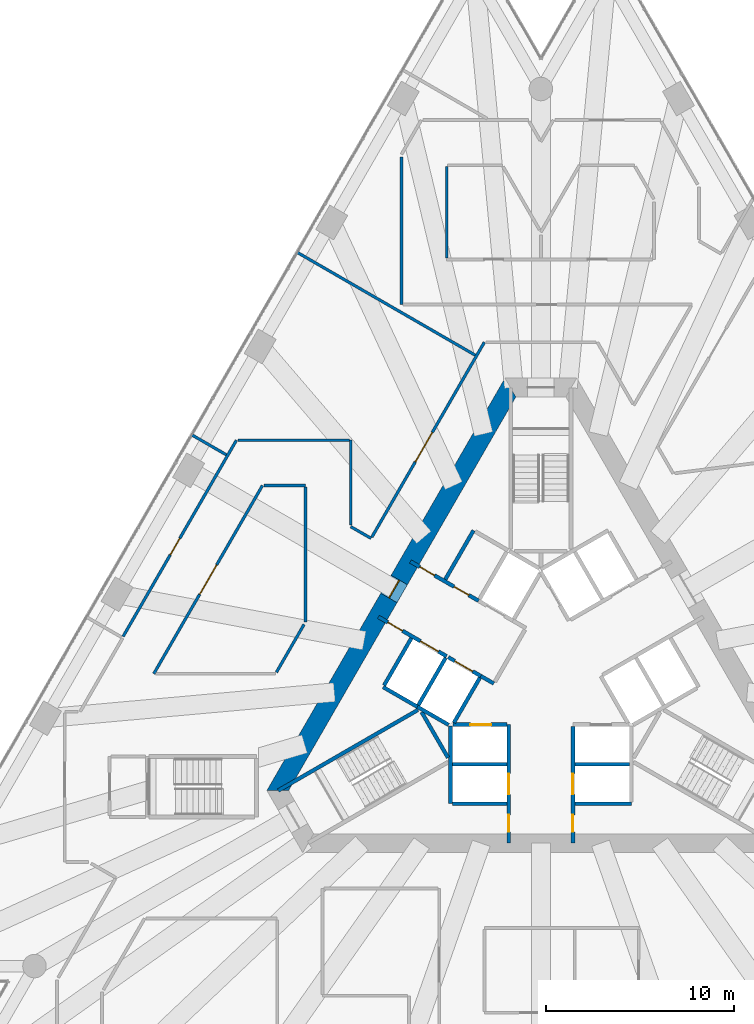
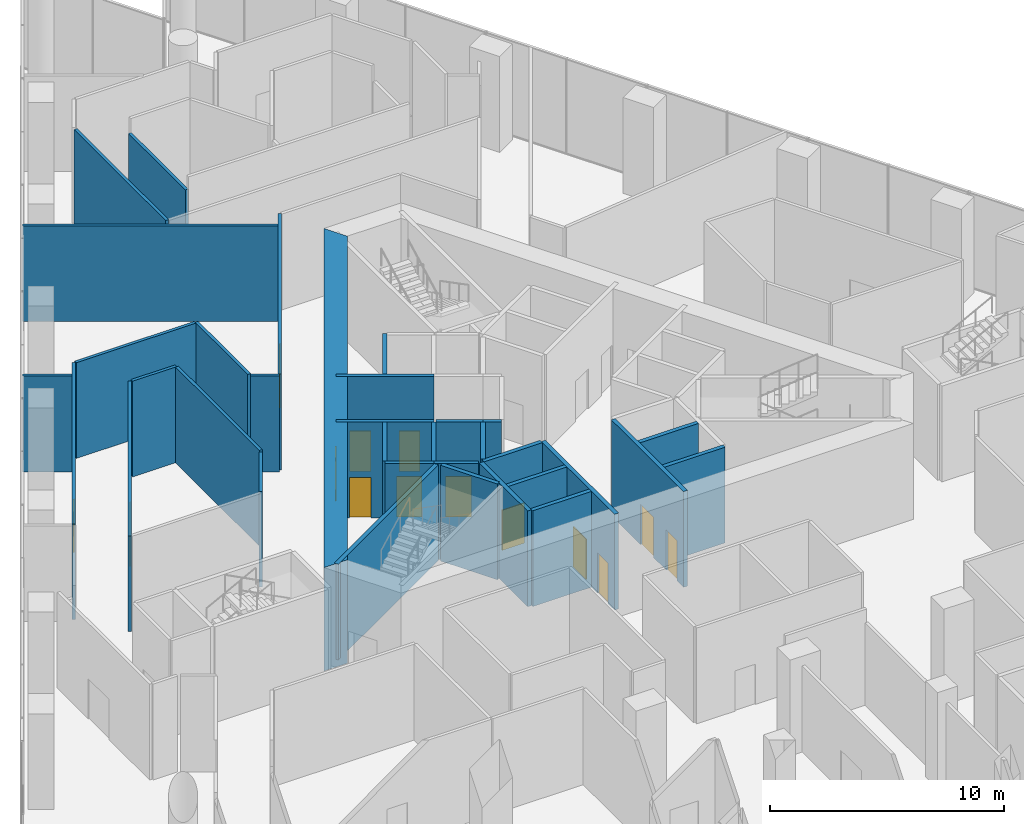
# One storey, part 23 of 29: 34 walls, 14 doors, 14 openings.
"""IFC4 building model written with IfcOpenShell, lengths in metres."""

import ifcopenshell
import ifcopenshell.guid

model = None  # the IFC model being written
_history = None  # IfcOwnerHistory: only IFC2X3 demands one
_inside = {}  # id of a spatial element -> (the spatial element, [elements in it])
_under = {}  # id of a project, library or spatial element -> (it, [spatial elements below it])
_declared = {}  # id of a project -> (the project, [libraries it declares])
_typed = {}  # id of a type object -> (the type object, [elements of that type])
_made_of = {}  # id of a material, layer set ... -> (it, [elements and type objects made of it])


def new_model(schema):
    """Start an empty IFC model of exactly this schema.

    Asked for "IFC4X3", IfcOpenShell would pick the latest addendum, in which some entities
    have other attributes; the version numbers below select the first issue.
    IFC2X3 requires an IfcOwnerHistory on every rooted entity: one is made here for all.
    """
    global model, _history
    if schema == "IFC4X3":
        model = ifcopenshell.file(schema_version=(4, 3, 0, 0))
    else:
        model = ifcopenshell.file(schema=schema)
    _inside.clear()
    _under.clear()
    _declared.clear()
    _typed.clear()
    _made_of.clear()
    _history = None
    if model.schema == "IFC2X3":
        org = make("IfcOrganization", Name="unknown")
        user = make(
            "IfcPersonAndOrganization",
            ThePerson=make("IfcPerson", FamilyName="unknown"),
            TheOrganization=org,
        )
        app = make(
            "IfcApplication",
            ApplicationDeveloper=org,
            Version="unknown",
            ApplicationFullName="unknown",
            ApplicationIdentifier="unknown",
        )
        _history = make(
            "IfcOwnerHistory",
            OwningUser=user,
            OwningApplication=app,
            ChangeAction="ADDED",
            CreationDate=0,
        )
    return model


def make(cls, **values):
    """One entity of the class cls with the attributes given. An attribute that is None is left unset."""
    return model.create_entity(
        cls, **{name: value for name, value in values.items() if value is not None}
    )


def rooted(cls, **values):
    """An entity with a GlobalId (a new one), such as an element, a storey or a relation."""
    return make(cls, GlobalId=ifcopenshell.guid.new(), OwnerHistory=_history, **values)


def si_unit(unit_type, name, prefix=None):
    """IfcSIUnit, for example si_unit("LENGTHUNIT", "METRE", prefix="MILLI")."""
    return make("IfcSIUnit", UnitType=unit_type, Prefix=prefix, Name=name)


def assignment(units):
    """IfcUnitAssignment: the units of a project."""
    return None if units is None else make("IfcUnitAssignment", Units=units)


def point(xyz):
    """IfcCartesianPoint."""
    return None if xyz is None else make("IfcCartesianPoint", Coordinates=xyz)


def direction(xyz):
    """IfcDirection."""
    return None if xyz is None else make("IfcDirection", DirectionRatios=xyz)


def frame(location, z_axis=None, x_axis=None):
    """IfcAxis2Placement3D, a coordinate frame: its origin and axes. An axis left out is left unset."""
    return make(
        "IfcAxis2Placement3D",
        Location=point(location),
        Axis=direction(z_axis),
        RefDirection=direction(x_axis),
    )


def frame_2d(location, x_axis=None):
    """IfcAxis2Placement2D, a coordinate frame in the plane: its origin and x axis."""
    return make(
        "IfcAxis2Placement2D", Location=point(location), RefDirection=direction(x_axis)
    )


def origin():
    """The frame at (0, 0, 0) with its axes left unset."""
    return frame((0.0, 0.0, 0.0))


def place(relative_to, where):
    """IfcLocalPlacement: puts the frame where relative to a parent placement (None: the world)."""
    return make(
        "IfcLocalPlacement", PlacementRelTo=relative_to, RelativePlacement=where
    )


def context(
    kind, dimensions, precision=None, world=None, true_north=None, identifier=None
):
    """IfcGeometricRepresentationContext, for example the 3D "Model" context."""
    return make(
        "IfcGeometricRepresentationContext",
        ContextIdentifier=identifier,
        ContextType=kind,
        CoordinateSpaceDimension=dimensions,
        Precision=precision,
        WorldCoordinateSystem=world,
        TrueNorth=true_north,
    )


def subcontext(parent, identifier, kind, view, scale=None):
    """IfcGeometricRepresentationSubContext, for example "Body" below "Model"."""
    return make(
        "IfcGeometricRepresentationSubContext",
        ContextIdentifier=identifier,
        ContextType=kind,
        ParentContext=parent,
        TargetScale=scale,
        TargetView=view,
    )


def project(units=None, contexts=None):
    """IfcProject with its units and contexts."""
    return rooted(
        "IfcProject",
        Name="project",
        RepresentationContexts=contexts,
        UnitsInContext=assignment(units),
    )


def spatial(cls, under=None, at=None, **own):
    """A site, building, storey or space (cls), placed at a placement, below another one or the project."""
    s = rooted(cls, ObjectPlacement=at, **own)
    if under is not None:
        _under.setdefault(under.id(), (under, []))[1].append(s)
    return s


def polyline(points):
    """IfcPolyline through the points."""
    return make("IfcPolyline", Points=[point(p) for p in points])


def profile(cls, at=None, kind="AREA", **sizes):
    """A parametric profile (cls). Its sizes go by their IFC names, for example OverallWidth=200.0."""
    return make(cls, ProfileType=kind, Position=at, **sizes)


def rectangle(**sizes):
    """IfcRectangleProfileDef."""
    return profile("IfcRectangleProfileDef", **sizes)


def outline(outer, holes=None, kind="AREA"):
    """IfcArbitraryClosedProfileDef: a profile drawn as a closed curve; with holes, ...WithVoids."""
    if holes is None:
        return make("IfcArbitraryClosedProfileDef", ProfileType=kind, OuterCurve=outer)
    return make(
        "IfcArbitraryProfileDefWithVoids",
        ProfileType=kind,
        OuterCurve=outer,
        InnerCurves=holes,
    )


def extrude(swept, where, along, depth):
    """IfcExtrudedAreaSolid: the profile swept, set in the frame where, extruded along a direction by depth."""
    return make(
        "IfcExtrudedAreaSolid",
        SweptArea=swept,
        Position=where,
        ExtrudedDirection=direction(along),
        Depth=depth,
    )


def shape(context_of_items, identifier, shape_type, items):
    """IfcShapeRepresentation: the items that make up one representation, for example the "Body"."""
    return make(
        "IfcShapeRepresentation",
        ContextOfItems=context_of_items,
        RepresentationIdentifier=identifier,
        RepresentationType=shape_type,
        Items=items,
    )


def material(Name=None, Category=None):
    """IfcMaterial."""
    return make("IfcMaterial", Name=Name, Category=Category)


def layer(
    of_material, thickness, ventilated=None, Name=None, Category=None, Priority=None
):
    """IfcMaterialLayer: one layer of a wall or slab, of a material (None: an air gap)."""
    return make(
        "IfcMaterialLayer",
        Material=of_material,
        LayerThickness=thickness,
        IsVentilated=ventilated,
        Name=Name,
        Category=Category,
        Priority=Priority,
    )


def layer_set(layers, Name=None):
    """IfcMaterialLayerSet."""
    return make("IfcMaterialLayerSet", MaterialLayers=layers, LayerSetName=Name)


def made_of(thing, what):
    """Note that an element or type object is made of a material, layer set ...; save() writes the relation."""
    if what is not None:
        _made_of.setdefault(what.id(), (what, []))[1].append(thing)
    return thing


def type_object(cls, material=None, **own):
    """A type object (cls), such as IfcWallType, which elements share."""
    return made_of(rooted(cls, **own), material)


def element(
    cls,
    number,
    at=None,
    inside=None,
    cuts=None,
    type_object=None,
    material=None,
    context=None,
    identifier="Body",
    shape_type=None,
    held_by="IfcProductDefinitionShape",
    body=None,
    shapes=None,
    **own,
):
    """One element of the class cls, such as IfcWall. Its Tag is "e" and its number.

    at: its placement. inside: the storey or other place that contains it. cuts: it is an
    opening in that element (IfcRelVoidsElement). A single representation is given by context,
    identifier, shape_type and body (its items); several are given by shapes. held_by: the class
    of the entity that holds the representations. save() writes the other relations.
    """
    e = rooted(cls, Tag="e%d" % number, ObjectPlacement=at, **own)
    if body is not None:
        shapes = [shape(context, identifier, shape_type, body)]
    if shapes is not None:
        e.Representation = make(held_by, Representations=shapes)
    if inside is not None:
        _inside.setdefault(inside.id(), (inside, []))[1].append(e)
    if cuts is not None:
        rooted(
            "IfcRelVoidsElement", RelatingBuildingElement=cuts, RelatedOpeningElement=e
        )
    if type_object is not None:
        _typed.setdefault(type_object.id(), (type_object, []))[1].append(e)
    return made_of(e, material)


def fill(opening, filler):
    """IfcRelFillsElement: the door or window that sits in an opening."""
    return rooted(
        "IfcRelFillsElement",
        RelatingOpeningElement=opening,
        RelatedBuildingElement=filler,
    )


def aggregate(whole, parts):
    """IfcRelAggregates: a whole, such as a stair, and the parts it consists of."""
    return rooted("IfcRelAggregates", RelatingObject=whole, RelatedObjects=parts)


def save(model, path):
    """Write the relations noted so far, then the file.

    IfcRelAggregates (storeys below a building ...), IfcRelContainedInSpatialStructure (elements
    in a storey), IfcRelDefinesByType, IfcRelAssociatesMaterial and IfcRelDeclares: one each for
    every whole, place, type object, material and project.
    """
    for whole, parts in _under.values():
        aggregate(whole, parts)
    for where, things in _inside.values():
        rooted(
            "IfcRelContainedInSpatialStructure",
            RelatedElements=things,
            RelatingStructure=where,
        )
    for kind, things in _typed.values():
        rooted("IfcRelDefinesByType", RelatedObjects=things, RelatingType=kind)
    for what, things in _made_of.values():
        rooted("IfcRelAssociatesMaterial", RelatedObjects=things, RelatingMaterial=what)
    for by, libraries in _declared.values():
        rooted("IfcRelDeclares", RelatingContext=by, RelatedDefinitions=libraries)
    model.write(path)


model = new_model("IFC4")

# Units and contexts
model_context = context("Model", 3, precision=1e-05, world=origin(), true_north=direction((0.0, 1.0)))
body_context = subcontext(model_context, "Body", "Model", "MODEL_VIEW")
ifc_project = project(units=[si_unit("LENGTHUNIT", "METRE"), si_unit("AREAUNIT", "SQUARE_METRE"), si_unit("VOLUMEUNIT", "CUBIC_METRE"), si_unit("PLANEANGLEUNIT", "RADIAN"), si_unit("MASSUNIT", "GRAM", prefix="KILO")], contexts=[model_context])

# Site, building, storey
site_placement = place(None, origin())
site = spatial("IfcSite", under=ifc_project, at=site_placement, CompositionType="ELEMENT")
building_placement = place(site_placement, origin())
building = spatial("IfcBuilding", under=site, at=building_placement, Name="Triada Interchange Tower", CompositionType="ELEMENT")
storey_placement = place(building_placement, frame((0.0, 0.0, 19.89990234375)))
storey = spatial("IfcBuildingStorey", under=building, at=storey_placement, Name="L03", CompositionType="ELEMENT", Elevation=19.89990234375)

# Walls
ifc_material_1 = material(Name="Concrete C30/37", Category="concrete")
ifc_layer_1 = layer(ifc_material_1, 0.199951171875)
ifc_layer_set_1 = layer_set([ifc_layer_1], Name="CORE WALL 200 EI 120")
wall_type_1 = type_object("IfcWallType", Name="CORE WALL 200 EI 120", PredefinedType="SOLIDWALL", material=ifc_layer_set_1)
wall_1_placement = place(storey_placement, frame((-8.3759765625, -0.70703125, 0.0), z_axis=(0.0, 0.0, 1.0), x_axis=(0.866067520717, -0.499927044236, 0.0)))
element("IfcWall", 1, at=wall_1_placement, inside=storey, type_object=wall_type_1, Name="Wall L03 114", PredefinedType="SOLIDWALL", context=body_context, shape_type="SweptSolid", body=[
    extrude(rectangle(XDim=2.100341796875, YDim=0.199951171875, at=frame_2d((1.05029296875, 0.0))), origin(), (0.0, 0.0, 1.0), 5.0),
])
wall_2_placement = place(storey_placement, frame((-8.325927734375, -0.6201171875, 0.0), z_axis=(0.0, 0.0, 1.0), x_axis=(0.500023687443, 0.866011727401, 0.0)))
element("IfcWall", 2, at=wall_2_placement, inside=storey, type_object=wall_type_1, Name="Wall L03 115", PredefinedType="SOLIDWALL", context=body_context, shape_type="SweptSolid", body=[
    extrude(rectangle(XDim=2.899658203125, YDim=0.199951171875, at=frame_2d((1.44970703125, 0.0))), origin(), (0.0, 0.0, 1.0), 5.0),
])
for number, where, z_axis, x_axis, name in (
    (3, (-4.699951171875, -4.800048828125, 0.0), (0.0, 0.0, 1.0), (1.0, 0.0, 0.0), "Wall L03 116"),
    (4, (1.800048828125, -4.800048828125, 0.0), (0.0, 0.0, 1.0), (1.0, 0.0, 0.0), "Wall L03 117"),
):
    element("IfcWall", number, at=place(storey_placement, frame(where, z_axis=z_axis, x_axis=x_axis)), inside=storey, type_object=wall_type_1, Name=name, PredefinedType="SOLIDWALL", context=body_context, shape_type="SweptSolid", body=[
        extrude(rectangle(XDim=2.89990234375, YDim=0.199951171875, at=frame_2d((1.449951171875, 0.0))), origin(), (0.0, 0.0, 1.0), 5.0),
    ])
wall_3_placement = place(storey_placement, frame((-4.800048828125, -6.89990234375, 0.0), z_axis=(0.0, 0.0, 1.0), x_axis=(0.0, 1.0, 0.0)))
element("IfcWall", 5, at=wall_3_placement, inside=storey, type_object=wall_type_1, Name="Wall L03 118", PredefinedType="SOLIDWALL", context=body_context, shape_type="SweptSolid", body=[
    extrude(rectangle(XDim=4.130859375, YDim=0.199951171875, at=frame_2d((2.0654296875, 0.0))), origin(), (0.0, 0.0, 1.0), 5.0),
])
wall_4_placement = place(storey_placement, frame((-4.699951171875, -6.89990234375, 0.0), z_axis=(0.0, 0.0, 1.0), x_axis=(1.0, 0.0, 0.0)))
element("IfcWall", 6, at=wall_4_placement, inside=storey, type_object=wall_type_1, Name="Wall L03 119", PredefinedType="SOLIDWALL", context=body_context, shape_type="SweptSolid", body=[
    extrude(rectangle(XDim=2.89990234375, YDim=0.199951171875, at=frame_2d((1.449951171875, 0.0))), origin(), (0.0, 0.0, 1.0), 5.0),
])
wall_5_placement = place(storey_placement, frame((1.800048828125, -6.89990234375, 0.0), z_axis=(0.0, 0.0, 1.0), x_axis=(1.0, 0.0, 0.0)))
element("IfcWall", 7, at=wall_5_placement, inside=storey, type_object=wall_type_1, Name="Wall L03 120", PredefinedType="SOLIDWALL", context=body_context, shape_type="SweptSolid", body=[
    extrude(rectangle(XDim=3.0, YDim=0.199951171875, at=frame_2d((1.5, 0.0))), origin(), (0.0, 0.0, 1.0), 5.0),
])

# Wall, openings, doors
wall_6_placement = place(storey_placement, frame((-1.699951171875, -8.97998046875, 0.0), z_axis=(0.0, 0.0, 1.0), x_axis=(0.0, 1.0, 0.0)))
wall_6 = element("IfcWall", 8, at=wall_6_placement, inside=storey, type_object=wall_type_1, Name="Wall L03 121", PredefinedType="SOLIDWALL", context=body_context, shape_type="SweptSolid", body=[
    extrude(rectangle(XDim=6.277099609375, YDim=0.199951171875, at=frame_2d((3.138671875, 0.0))), origin(), (0.0, 0.0, 1.0), 5.0),
])
opening_1_placement = place(wall_6_placement, frame((2.580078125, 0.0, 0.0)))
opening_1 = element("IfcOpeningElement", 9, at=opening_1_placement, cuts=wall_6, Name="Opening LD-LR4", PredefinedType="OPENING", context=body_context, shape_type="SweptSolid", body=[
    extrude(rectangle(XDim=1.10009765625, YDim=2.10009765625, at=frame_2d((0.550048828125, 1.050048828125))), frame((0.0, 0.10986328125, 0.0), z_axis=(0.0, -1.0, 0.0), x_axis=(1.0, 0.0, 0.0)), (0.0, 0.0, 1.0), 0.219970703125),
])
opening_2_placement = place(wall_6_placement, frame((0.580078125, 0.0, 0.0)))
opening_2 = element("IfcOpeningElement", 10, at=opening_2_placement, cuts=wall_6, Name="Opening D03-46", PredefinedType="OPENING", context=body_context, shape_type="SweptSolid", body=[
    extrude(rectangle(XDim=0.89990234375, YDim=2.10009765625, at=frame_2d((0.449951171875, 1.050048828125))), frame((0.0, 0.10986328125, 0.0), z_axis=(0.0, -1.0, 0.0), x_axis=(1.0, 0.0, 0.0)), (0.0, 0.0, 1.0), 0.219970703125),
])
ifc_material_2 = material(Name="Steel S235 door leaf", Category="steel")
door_type_1 = type_object("IfcDoorType", Name="LIFT LANDING DOOR 1100 EI 120", OperationType="SLIDING_TO_LEFT", PredefinedType="DOOR", material=ifc_material_2)
door_1_placement = place(opening_1_placement, origin())
door_1 = element("IfcDoor", 11, at=door_1_placement, inside=storey, type_object=door_type_1, Name="LR4 landing door L03", OperationType="SLIDING_TO_LEFT", OverallHeight=2.10009765625, OverallWidth=1.10009765625, PredefinedType="DOOR", context=body_context, shape_type="SweptSolid", body=[
    extrude(rectangle(XDim=1.10009765625, YDim=2.10009765625, at=frame_2d((0.550048828125, 1.050048828125))), frame((0.0, 0.02490234375, 0.0), z_axis=(0.0, -1.0, 0.0), x_axis=(1.0, 0.0, 0.0)), (0.0, 0.0, 1.0), 0.050048828125),
])
fill(opening_1, door_1)
door_type_2 = type_object("IfcDoorType", Name="RISER ACCESS DOOR 900 EI2 45-C5S200", OperationType="NOTDEFINED", PredefinedType="DOOR", material=ifc_material_2)
door_2_placement = place(opening_2_placement, origin())
door_2 = element("IfcDoor", 12, at=door_2_placement, inside=storey, type_object=door_type_2, Name="Door D03-46 L03", OperationType="SINGLE_SWING_RIGHT", OverallHeight=2.10009765625, OverallWidth=0.89990234375, PredefinedType="DOOR", context=body_context, shape_type="SweptSolid", body=[
    extrude(rectangle(XDim=0.89990234375, YDim=2.10009765625, at=frame_2d((0.449951171875, 1.050048828125))), frame((0.0, 0.02490234375, 0.0), z_axis=(0.0, -1.0, 0.0), x_axis=(1.0, 0.0, 0.0)), (0.0, 0.0, 1.0), 0.050048828125),
])
fill(opening_2, door_2)

# Wall, opening, door
wall_7_placement = place(storey_placement, frame((-4.676025390625, -2.699951171875, 0.0), z_axis=(0.0, 0.0, 1.0), x_axis=(1.0, 0.0, 0.0)))
wall_7 = element("IfcWall", 13, at=wall_7_placement, inside=storey, type_object=wall_type_1, Name="Wall L03 122", PredefinedType="SOLIDWALL", context=body_context, shape_type="SweptSolid", body=[
    extrude(rectangle(XDim=2.873046875, YDim=0.199951171875, at=frame_2d((1.4365234375, 0.0))), origin(), (0.0, 0.0, 1.0), 5.0),
])
opening_3_placement = place(wall_7_placement, frame((0.93701171875, 0.0, 0.0)))
opening_3 = element("IfcOpeningElement", 14, at=opening_3_placement, cuts=wall_7, Name="Opening LD-LR3", PredefinedType="OPENING", context=body_context, shape_type="SweptSolid", body=[
    extrude(rectangle(XDim=1.10009765625, YDim=2.10009765625, at=frame_2d((0.550048828125, 1.050048828125))), frame((0.0, 0.10986328125, 0.0), z_axis=(0.0, -1.0, 0.0), x_axis=(1.0, 0.0, 0.0)), (0.0, 0.0, 1.0), 0.219970703125),
])
door_3_placement = place(opening_3_placement, origin())
door_3 = element("IfcDoor", 15, at=door_3_placement, inside=storey, type_object=door_type_1, Name="LR3 landing door L03", OperationType="SLIDING_TO_LEFT", OverallHeight=2.10009765625, OverallWidth=1.10009765625, PredefinedType="DOOR", context=body_context, shape_type="SweptSolid", body=[
    extrude(rectangle(XDim=1.10009765625, YDim=2.10009765625, at=frame_2d((0.550048828125, 1.050048828125))), frame((0.0, 0.02490234375, 0.0), z_axis=(0.0, -1.0, 0.0), x_axis=(1.0, 0.0, 0.0)), (0.0, 0.0, 1.0), 0.050048828125),
])
fill(opening_3, door_3)

# Wall, openings, doors
wall_8_placement = place(storey_placement, frame((1.699951171875, -8.97998046875, 0.0), z_axis=(0.0, 0.0, 1.0), x_axis=(0.0, 1.0, 0.0)))
wall_8 = element("IfcWall", 16, at=wall_8_placement, inside=storey, type_object=wall_type_1, Name="Wall L03 128", PredefinedType="SOLIDWALL", context=body_context, shape_type="SweptSolid", body=[
    extrude(rectangle(XDim=6.177001953125, YDim=0.199951171875, at=frame_2d((3.08837890625, 0.0))), origin(), (0.0, 0.0, 1.0), 5.0),
])
opening_4_placement = place(wall_8_placement, frame((2.580078125, 0.0, 0.0)))
opening_4 = element("IfcOpeningElement", 17, at=opening_4_placement, cuts=wall_8, Name="Opening LD-LR2", PredefinedType="OPENING", context=body_context, shape_type="SweptSolid", body=[
    extrude(rectangle(XDim=1.10009765625, YDim=2.10009765625, at=frame_2d((0.550048828125, 1.050048828125))), frame((0.0, 0.10986328125, 0.0), z_axis=(0.0, -1.0, 0.0), x_axis=(1.0, 0.0, 0.0)), (0.0, 0.0, 1.0), 0.219970703125),
])
opening_5_placement = place(wall_8_placement, frame((0.580078125, 0.0, 0.0)))
opening_5 = element("IfcOpeningElement", 18, at=opening_5_placement, cuts=wall_8, Name="Opening D03-49", PredefinedType="OPENING", context=body_context, shape_type="SweptSolid", body=[
    extrude(rectangle(XDim=0.89990234375, YDim=2.10009765625, at=frame_2d((0.449951171875, 1.050048828125))), frame((0.0, 0.10986328125, 0.0), z_axis=(0.0, -1.0, 0.0), x_axis=(1.0, 0.0, 0.0)), (0.0, 0.0, 1.0), 0.219970703125),
])
door_4_placement = place(opening_4_placement, origin())
door_4 = element("IfcDoor", 19, at=door_4_placement, inside=storey, type_object=door_type_1, Name="LR2 landing door L03", OperationType="SLIDING_TO_LEFT", OverallHeight=2.10009765625, OverallWidth=1.10009765625, PredefinedType="DOOR", context=body_context, shape_type="SweptSolid", body=[
    extrude(rectangle(XDim=1.10009765625, YDim=2.10009765625, at=frame_2d((0.550048828125, 1.050048828125))), frame((0.0, 0.02490234375, 0.0), z_axis=(0.0, -1.0, 0.0), x_axis=(1.0, 0.0, 0.0)), (0.0, 0.0, 1.0), 0.050048828125),
])
fill(opening_4, door_4)
door_type_3 = type_object("IfcDoorType", Name="SERVICE DOOR 900 EI2 45-C5S200", OperationType="NOTDEFINED", PredefinedType="DOOR", material=ifc_material_2)
door_5_placement = place(opening_5_placement, origin())
door_5 = element("IfcDoor", 20, at=door_5_placement, inside=storey, type_object=door_type_3, Name="Door D03-49 L03", OperationType="SINGLE_SWING_LEFT", OverallHeight=2.10009765625, OverallWidth=0.89990234375, PredefinedType="DOOR", context=body_context, shape_type="SweptSolid", body=[
    extrude(rectangle(XDim=0.89990234375, YDim=2.10009765625, at=frame_2d((0.449951171875, 1.050048828125))), frame((0.0, 0.02490234375, 0.0), z_axis=(0.0, -1.0, 0.0), x_axis=(1.0, 0.0, 0.0)), (0.0, 0.0, 1.0), 0.050048828125),
])
fill(opening_5, door_5)

ifc_layer_2 = layer(ifc_material_1, 0.199951171875)
ifc_layer_set_2 = layer_set([ifc_layer_2], Name="CORE WALL 200 EI 180")
wall_type_2 = type_object("IfcWallType", Name="CORE WALL 200 EI 180", PredefinedType="SOLIDWALL", material=ifc_layer_set_2)
wall_9_placement = place(storey_placement, frame((-8.626953125, 3.01806640625, 0.0), z_axis=(0.0, 0.0, 1.0), x_axis=(0.866039775641, -0.499975106388, 0.0)))
wall_9 = element("IfcWall", 21, at=wall_9_placement, inside=storey, type_object=wall_type_2, Name="Wall L03 136", PredefinedType="SOLIDWALL", context=body_context, shape_type="SweptSolid", body=[
    extrude(rectangle(XDim=4.182373046875, YDim=0.199951171875, at=frame_2d((2.09130859375, 0.0))), origin(), (0.0, 0.0, 1.0), 5.0),
])
opening_6_placement = place(wall_9_placement, frame((2.580078125, 0.0, 0.0)))
opening_6 = element("IfcOpeningElement", 22, at=opening_6_placement, cuts=wall_9, Name="Opening LD-SV1", PredefinedType="OPENING", context=body_context, shape_type="SweptSolid", body=[
    extrude(rectangle(XDim=1.10009765625, YDim=2.10009765625, at=frame_2d((0.550048828125, 1.050048828125))), frame((0.0, 0.10986328125, 0.0), z_axis=(0.0, -1.0, 0.0), x_axis=(1.0, 0.0, 0.0)), (0.0, 0.0, 1.0), 0.219970703125),
])
opening_7_placement = place(wall_9_placement, frame((0.580078125, 0.0, 0.0)))
opening_7 = element("IfcOpeningElement", 23, at=opening_7_placement, cuts=wall_9, Name="Opening D03-45", PredefinedType="OPENING", context=body_context, shape_type="SweptSolid", body=[
    extrude(rectangle(XDim=0.89990234375, YDim=2.10009765625, at=frame_2d((0.449951171875, 1.050048828125))), frame((0.0, 0.10986328125, 0.0), z_axis=(0.0, -1.0, 0.0), x_axis=(1.0, 0.0, 0.0)), (0.0, 0.0, 1.0), 0.219970703125),
])
door_6_placement = place(opening_6_placement, origin())
door_6 = element("IfcDoor", 24, at=door_6_placement, inside=storey, type_object=door_type_1, Name="SV1 landing door L03", OperationType="SLIDING_TO_LEFT", OverallHeight=2.10009765625, OverallWidth=1.10009765625, PredefinedType="DOOR", context=body_context, shape_type="SweptSolid", body=[
    extrude(rectangle(XDim=1.10009765625, YDim=2.10009765625, at=frame_2d((0.550048828125, 1.050048828125))), frame((0.0, 0.02490234375, 0.0), z_axis=(0.0, -1.0, 0.0), x_axis=(1.0, 0.0, 0.0)), (0.0, 0.0, 1.0), 0.050048828125),
])
fill(opening_6, door_6)
door_7_placement = place(opening_7_placement, origin())
door_7 = element("IfcDoor", 25, at=door_7_placement, inside=storey, type_object=door_type_3, Name="Door D03-45 L03", OperationType="SINGLE_SWING_RIGHT", OverallHeight=2.10009765625, OverallWidth=0.89990234375, PredefinedType="DOOR", context=body_context, shape_type="SweptSolid", body=[
    extrude(rectangle(XDim=0.89990234375, YDim=2.10009765625, at=frame_2d((0.449951171875, 1.050048828125))), frame((0.0, 0.02490234375, 0.0), z_axis=(0.0, -1.0, 0.0), x_axis=(1.0, 0.0, 0.0)), (0.0, 0.0, 1.0), 0.050048828125),
])
fill(opening_7, door_7)

# Wall
wall_10_placement = place(storey_placement, frame((-3.18798828125, -0.1220703125, 0.0), z_axis=(0.0, 0.0, 1.0), x_axis=(0.865705793592, -0.50055317294, 0.0)))
element("IfcWall", 26, at=wall_10_placement, inside=storey, type_object=wall_type_2, Name="Wall L03 137", PredefinedType="SOLIDWALL", context=body_context, shape_type="SweptSolid", body=[
    extrude(rectangle(XDim=0.796875, YDim=0.199951171875, at=frame_2d((0.3984375, 0.0))), origin(), (0.0, 0.0, 1.0), 5.0),
])

# Wall, openings, doors
wall_11_placement = place(storey_placement, frame((-6.927001953125, 5.9619140625, 0.0), z_axis=(0.0, 0.0, 1.0), x_axis=(0.866065051207, -0.49993132236, 0.0)))
wall_11 = element("IfcWall", 27, at=wall_11_placement, inside=storey, type_object=wall_type_2, Name="Wall L03 138", PredefinedType="SOLIDWALL", context=body_context, shape_type="SweptSolid", body=[
    extrude(rectangle(XDim=4.18212890625, YDim=0.199951171875, at=frame_2d((2.091064453125, 0.0))), origin(), (0.0, 0.0, 1.0), 5.0),
])
opening_8_placement = place(wall_11_placement, frame((2.679931640625, 0.0, 0.0)))
opening_8 = element("IfcOpeningElement", 28, at=opening_8_placement, cuts=wall_11, Name="Opening D03-10", PredefinedType="OPENING", context=body_context, shape_type="SweptSolid", body=[
    extrude(rectangle(XDim=0.89990234375, YDim=2.10009765625, at=frame_2d((0.449951171875, 1.050048828125))), frame((0.0, 0.10986328125, 0.0), z_axis=(0.0, -1.0, 0.0), x_axis=(1.0, 0.0, 0.0)), (0.0, 0.0, 1.0), 0.219970703125),
])
opening_9_placement = place(wall_11_placement, frame((0.580078125, 0.0, 0.0)))
opening_9 = element("IfcOpeningElement", 29, at=opening_9_placement, cuts=wall_11, Name="Opening D03-47", PredefinedType="OPENING", context=body_context, shape_type="SweptSolid", body=[
    extrude(rectangle(XDim=0.89990234375, YDim=2.10009765625, at=frame_2d((0.449951171875, 1.050048828125))), frame((0.0, 0.10986328125, 0.0), z_axis=(0.0, -1.0, 0.0), x_axis=(1.0, 0.0, 0.0)), (0.0, 0.0, 1.0), 0.219970703125),
])
door_8_placement = place(opening_9_placement, origin())
door_8 = element("IfcDoor", 30, at=door_8_placement, inside=storey, type_object=door_type_3, Name="Door D03-47 L03", OperationType="SINGLE_SWING_LEFT", OverallHeight=2.10009765625, OverallWidth=0.89990234375, PredefinedType="DOOR", context=body_context, shape_type="SweptSolid", body=[
    extrude(rectangle(XDim=0.89990234375, YDim=2.10009765625, at=frame_2d((0.449951171875, 1.050048828125))), frame((0.0, 0.02490234375, 0.0), z_axis=(0.0, -1.0, 0.0), x_axis=(1.0, 0.0, 0.0)), (0.0, 0.0, 1.0), 0.050048828125),
])
fill(opening_9, door_8)
door_type_4 = type_object("IfcDoorType", Name="SERVICE DOOR 900 EI2 90-C5S200", OperationType="NOTDEFINED", PredefinedType="DOOR", material=ifc_material_2)
door_9_placement = place(opening_8_placement, origin())
door_9 = element("IfcDoor", 31, at=door_9_placement, inside=storey, type_object=door_type_4, Name="Door D03-10 L03", OperationType="SINGLE_SWING_LEFT", OverallHeight=2.10009765625, OverallWidth=0.89990234375, PredefinedType="DOOR", context=body_context, shape_type="SweptSolid", body=[
    extrude(rectangle(XDim=0.89990234375, YDim=2.10009765625, at=frame_2d((0.449951171875, 1.050048828125))), frame((0.0, 0.02490234375, 0.0), z_axis=(0.0, -1.0, 0.0), x_axis=(1.0, 0.0, 0.0)), (0.0, 0.0, 1.0), 0.050048828125),
])
fill(opening_8, door_9)

# Walls
wall_12_placement = place(storey_placement, frame((-5.075927734375, 5.009033203125, 0.0), z_axis=(0.0, 0.0, 1.0), x_axis=(0.50002537861, 0.866010750942, 0.0)))
element("IfcWall", 32, at=wall_12_placement, inside=storey, type_object=wall_type_2, Name="Wall L03 140", PredefinedType="SOLIDWALL", context=body_context, shape_type="SweptSolid", body=[
    extrude(rectangle(XDim=2.999755859375, YDim=0.199951171875, at=frame_2d((1.5, 0.0))), origin(), (0.0, 0.0, 1.0), 5.0),
])
wall_13_placement = place(storey_placement, frame((-6.556884765625, -1.757080078125, 0.0), z_axis=(0.0, 0.0, 1.0), x_axis=(0.8659754619, -0.500086491905, 0.0)))
element("IfcWall", 33, at=wall_13_placement, inside=storey, type_object=wall_type_2, Name="Shaft wall FF1 L03 143", PredefinedType="SOLIDWALL", context=body_context, shape_type="SweptSolid", body=[
    extrude(rectangle(XDim=1.915771484375, YDim=0.199951171875, at=frame_2d((0.9580078125, 0.0))), origin(), (0.0, 0.0, 1.0), 5.0),
])
wall_14_placement = place(storey_placement, frame((-6.507080078125, -1.669921875, 0.0), z_axis=(0.0, 0.0, 1.0), x_axis=(0.50012328804, 0.865954211699, 0.0)))
element("IfcWall", 34, at=wall_14_placement, inside=storey, type_object=wall_type_2, Name="Shaft wall FF1 L03 144", PredefinedType="SOLIDWALL", context=body_context, shape_type="SweptSolid", body=[
    extrude(rectangle(XDim=2.899658203125, YDim=0.199951171875, at=frame_2d((1.44970703125, 0.0))), origin(), (0.0, 0.0, 1.0), 5.0),
])

# Wall, opening, door
wall_15_placement = place(storey_placement, frame((-4.919921875, 0.8779296875, 0.0), z_axis=(0.0, 0.0, 1.0), x_axis=(0.866010750942, -0.50002537861, 0.0)))
wall_15 = element("IfcWall", 35, at=wall_15_placement, inside=storey, type_object=wall_type_2, Name="Shaft wall FF1 L03 145", PredefinedType="SOLIDWALL", context=body_context, shape_type="SweptSolid", body=[
    extrude(rectangle(XDim=2.0, YDim=0.199951171875, at=frame_2d((1.0, 0.0))), origin(), (0.0, 0.0, 1.0), 5.0),
])
opening_10_placement = place(wall_15_placement, frame((0.39990234375, 0.0, 0.0)))
opening_10 = element("IfcOpeningElement", 36, at=opening_10_placement, cuts=wall_15, Name="Opening LD-FF1", PredefinedType="OPENING", context=body_context, shape_type="SweptSolid", body=[
    extrude(rectangle(XDim=1.10009765625, YDim=2.10009765625, at=frame_2d((0.550048828125, 1.050048828125))), frame((0.0, 0.10986328125, 0.0), z_axis=(0.0, -1.0, 0.0), x_axis=(1.0, 0.0, 0.0)), (0.0, 0.0, 1.0), 0.219970703125),
])
door_10_placement = place(opening_10_placement, origin())
door_10 = element("IfcDoor", 37, at=door_10_placement, inside=storey, type_object=door_type_1, Name="FF1 landing door L03", OperationType="SLIDING_TO_LEFT", OverallHeight=2.10009765625, OverallWidth=1.10009765625, PredefinedType="DOOR", context=body_context, shape_type="SweptSolid", body=[
    extrude(rectangle(XDim=1.10009765625, YDim=2.10009765625, at=frame_2d((0.550048828125, 1.050048828125))), frame((0.0, 0.02490234375, 0.0), z_axis=(0.0, -1.0, 0.0), x_axis=(1.0, 0.0, 0.0)), (0.0, 0.0, 1.0), 0.050048828125),
])
fill(opening_10, door_10)

# Walls
wall_16_placement = place(storey_placement, frame((-4.618896484375, -2.60009765625, 0.0), z_axis=(0.0, 0.0, 1.0), x_axis=(0.50009492287, 0.865970593103, 0.0)))
element("IfcWall", 38, at=wall_16_placement, inside=storey, type_object=wall_type_2, Name="Shaft wall FF1 L03 146", PredefinedType="SOLIDWALL", context=body_context, shape_type="SweptSolid", body=[
    extrude(rectangle(XDim=2.76123046875, YDim=0.199951171875, at=frame_2d((1.380615234375, 0.0))), origin(), (0.0, 0.0, 1.0), 5.0),
])
ifc_layer_3 = layer(ifc_material_1, 0.199951171875)
ifc_layer_set_3 = layer_set([ifc_layer_3], Name="CORE WALL 200 REI 240")
wall_type_3 = type_object("IfcWallType", Name="CORE WALL 200 REI 240", PredefinedType="SOLIDWALL", material=ifc_layer_set_3)
wall_17_placement = place(storey_placement, frame((-13.946044921875, -6.2041015625, 0.0), z_axis=(0.0, 0.0, 1.0), x_axis=(0.866036527536, 0.499980732602, 0.0)))
element("IfcWall", 39, at=wall_17_placement, inside=storey, type_object=wall_type_3, Name="Wall L03 152", PredefinedType="SOLIDWALL", context=body_context, shape_type="SweptSolid", body=[
    extrude(rectangle(XDim=8.564208984375, YDim=0.199951171875, at=frame_2d((4.2822265625, 0.0))), origin(), (0.0, 0.0, 1.0), 5.0),
])
wall_18_placement = place(storey_placement, frame((-6.3291015625, -2.0380859375, 0.0), z_axis=(0.0, 0.0, 1.0), x_axis=(0.500200581029, -0.865909567298, 0.0)))
element("IfcWall", 40, at=wall_18_placement, inside=storey, type_object=wall_type_3, Name="Wall L03 153", PredefinedType="SOLIDWALL", context=body_context, shape_type="SweptSolid", body=[
    extrude(rectangle(XDim=2.799072265625, YDim=0.199951171875, at=frame_2d((1.3994140625, 0.0))), origin(), (0.0, 0.0, 1.0), 5.0),
])

# Wall, opening, door
ifc_material_3 = material(Name="Concrete C70/85", Category="concrete")
ifc_layer_4 = layer(ifc_material_3, 1.0)
ifc_layer_set_4 = layer_set([ifc_layer_4], Name="Core wall P 1000")
wall_type_4 = type_object("IfcWallType", Name="Core wall P 1000", PredefinedType="SHEAR", material=ifc_layer_set_4)
wall_19_placement = place(storey_placement, frame((-1.616943359375, 15.199951171875, -0.39990234375), z_axis=(0.0, 0.0, 1.0), x_axis=(-0.499992141631, -0.866029940768, 0.0)))
wall_19 = element("IfcWall", 41, at=wall_19_placement, inside=storey, type_object=wall_type_4, Name="Core wall WP02 L03", PredefinedType="SHEAR", context=body_context, shape_type="SweptSolid", body=[
    extrude(outline(polyline([(-0.2890625, -0.4990234375), (1.65625, -0.4990234375), (3.601318359375, -0.499267578125), (5.546630859375, -0.499267578125), (7.491943359375, -0.499267578125), (9.43701171875, -0.49951171875), (11.38232421875, -0.49951171875), (13.32763671875, -0.49951171875), (15.27294921875, -0.49951171875), (17.218017578125, -0.499755859375), (19.163330078125, -0.499755859375), (21.108642578125, -0.499755859375), (23.0537109375, -0.5), (24.9990234375, -0.5), (24.422119140625, 0.5), (22.565673828125, 0.5), (20.709228515625, 0.5), (18.85302734375, 0.5), (16.99658203125, 0.5), (15.14013671875, 0.5), (13.28369140625, 0.5), (11.427490234375, 0.5), (9.571044921875, 0.5), (7.714599609375, 0.5), (5.858154296875, 0.5), (4.001953125, 0.5), (2.1455078125, 0.5), (0.2890625, 0.5), (-0.2890625, -0.4990234375)])), origin(), (0.0, 0.0, 1.0), 5.39990234375),
])
opening_11_placement = place(wall_19_placement, frame((11.804931640625, 0.0, 0.39990234375)))
opening_11 = element("IfcOpeningElement", 42, at=opening_11_placement, cuts=wall_19, Name="Opening D03-44", PredefinedType="OPENING", context=body_context, shape_type="SweptSolid", body=[
    extrude(rectangle(XDim=1.10009765625, YDim=2.10009765625, at=frame_2d((0.550048828125, 1.050048828125))), frame((0.0, 0.510009765625, 0.0), z_axis=(0.0, -1.0, 0.0), x_axis=(1.0, 0.0, 0.0)), (0.0, 0.0, 1.0), 1.02001953125),
])
door_type_5 = type_object("IfcDoorType", Name="FIRE LOBBY DOOR 1100 EI2 90-C5S200", OperationType="NOTDEFINED", PredefinedType="DOOR", material=ifc_material_2)
door_11_placement = place(opening_11_placement, origin())
door_11 = element("IfcDoor", 43, at=door_11_placement, inside=storey, type_object=door_type_5, Name="Door D03-44 L03", OperationType="SINGLE_SWING_LEFT", OverallHeight=2.10009765625, OverallWidth=1.10009765625, PredefinedType="DOOR", context=body_context, shape_type="SweptSolid", body=[
    extrude(rectangle(XDim=1.10009765625, YDim=2.10009765625, at=frame_2d((0.550048828125, 1.050048828125))), frame((0.0, 0.02490234375, 0.0), z_axis=(0.0, -1.0, 0.0), x_axis=(1.0, 0.0, 0.0)), (0.0, 0.0, 1.0), 0.050048828125),
])
fill(opening_11, door_11)

# Walls
ifc_material_4 = material(Name="Gypsum board partition")
ifc_layer_5 = layer(ifc_material_4, 0.14990234375)
ifc_layer_set_5 = layer_set([ifc_layer_5], Name="PARTITION 150")
wall_type_5 = type_object("IfcWallType", Name="PARTITION 150", PredefinedType="PARTITIONING", material=ifc_layer_set_5)
wall_20_placement = place(storey_placement, frame((-18.541015625, 12.68701171875, 0.0), z_axis=(0.0, 0.0, 1.0), x_axis=(0.866015377534, -0.500017365573, 0.0)))
element("IfcWall", 44, at=wall_20_placement, inside=storey, type_object=wall_type_5, Name="Wall L03 43", PredefinedType="PARTITIONING", context=body_context, shape_type="SweptSolid", body=[
    extrude(rectangle(XDim=2.1259765625, YDim=0.14990234375, at=frame_2d((1.06298828125, 0.0))), origin(), (0.0, 0.0, 1.0), 5.0),
])
wall_21_placement = place(storey_placement, frame((-12.945068359375, 22.3779296875, 0.0), z_axis=(0.0, 0.0, 1.0), x_axis=(0.866045288938, -0.499965556321, 0.0)))
element("IfcWall", 45, at=wall_21_placement, inside=storey, type_object=wall_type_5, Name="Wall L03 52", PredefinedType="PARTITIONING", context=body_context, shape_type="SweptSolid", body=[
    extrude(rectangle(XDim=10.924560546875, YDim=0.14990234375, at=frame_2d((5.46240234375, 0.0))), origin(), (0.0, 0.0, 1.0), 5.0),
])

# Wall, opening, door
ifc_layer_6 = layer(ifc_material_4, 0.14990234375)
ifc_layer_set_6 = layer_set([ifc_layer_6], Name="PARTITION 150 EI 90")
wall_type_6 = type_object("IfcWallType", Name="PARTITION 150 EI 90", PredefinedType="PARTITIONING", material=ifc_layer_set_6)
wall_22_placement = place(storey_placement, frame((-22.18408203125, 1.97705078125, 0.0), z_axis=(0.0, 0.0, 1.0), x_axis=(0.500026811154, 0.866009923804, 0.0)))
wall_22 = element("IfcWall", 46, at=wall_22_placement, inside=storey, type_object=wall_type_6, Name="Wall L03 41", PredefinedType="PARTITIONING", context=body_context, shape_type="SweptSolid", body=[
    extrude(rectangle(XDim=12.035400390625, YDim=0.14990234375, at=frame_2d((6.017578125, 0.0))), origin(), (0.0, 0.0, 1.0), 5.0),
])
opening_12_placement = place(wall_22_placement, frame((5.010986328125, 0.0, 0.0)))
opening_12 = element("IfcOpeningElement", 47, at=opening_12_placement, cuts=wall_22, Name="Opening D03-34", PredefinedType="OPENING", context=body_context, shape_type="SweptSolid", body=[
    extrude(rectangle(XDim=1.0, YDim=2.10009765625, at=frame_2d((0.5, 1.050048828125))), frame((0.0, 0.0849609375, 0.0), z_axis=(0.0, -1.0, 0.0), x_axis=(1.0, 0.0, 0.0)), (0.0, 0.0, 1.0), 0.169921875),
])
door_type_6 = type_object("IfcDoorType", Name="ROOM DOOR 1000 EI2 90-C5S200", OperationType="NOTDEFINED", PredefinedType="DOOR", material=ifc_material_2)
door_12_placement = place(opening_12_placement, origin())
door_12 = element("IfcDoor", 48, at=door_12_placement, inside=storey, type_object=door_type_6, Name="Door D03-34 L03", OperationType="SINGLE_SWING_LEFT", OverallHeight=2.10009765625, OverallWidth=1.0, PredefinedType="DOOR", context=body_context, shape_type="SweptSolid", body=[
    extrude(rectangle(XDim=1.0, YDim=2.10009765625, at=frame_2d((0.5, 1.050048828125))), frame((0.0, 0.02490234375, 0.0), z_axis=(0.0, -1.0, 0.0), x_axis=(1.0, 0.0, 0.0)), (0.0, 0.0, 1.0), 0.050048828125),
])
fill(opening_12, door_12)

# Wall
wall_23_placement = place(storey_placement, frame((-10.10009765625, 7.81298828125, 0.0), z_axis=(0.0, 0.0, 1.0), x_axis=(0.866415685352, -0.499323402392, 0.0)))
element("IfcWall", 49, at=wall_23_placement, inside=storey, type_object=wall_type_6, Name="Wall L03 44", PredefinedType="PARTITIONING", context=body_context, shape_type="SweptSolid", body=[
    extrude(rectangle(XDim=1.253662109375, YDim=0.14990234375, at=frame_2d((0.626953125, 0.0))), origin(), (0.0, 0.0, 1.0), 5.0),
])

# Wall, opening, door
wall_24_placement = place(storey_placement, frame((-8.97705078125, 7.251953125, 0.0), z_axis=(0.0, 0.0, 1.0), x_axis=(0.500037258536, 0.86600389149, 0.0)))
wall_24 = element("IfcWall", 50, at=wall_24_placement, inside=storey, type_object=wall_type_6, Name="Wall L03 45", PredefinedType="PARTITIONING", context=body_context, shape_type="SweptSolid", body=[
    extrude(rectangle(XDim=11.94921875, YDim=0.14990234375, at=frame_2d((5.974609375, 0.0))), origin(), (0.0, 0.0, 1.0), 5.0),
])
opening_13_placement = place(wall_24_placement, frame((4.6201171875, 0.0, 0.0)))
opening_13 = element("IfcOpeningElement", 51, at=opening_13_placement, cuts=wall_24, Name="Opening D03-35", PredefinedType="OPENING", context=body_context, shape_type="SweptSolid", body=[
    extrude(rectangle(XDim=1.800048828125, YDim=2.10009765625, at=frame_2d((0.89990234375, 1.050048828125))), frame((0.0, 0.0849609375, 0.0), z_axis=(0.0, -1.0, 0.0), x_axis=(1.0, 0.0, 0.0)), (0.0, 0.0, 1.0), 0.169921875),
])
door_type_7 = type_object("IfcDoorType", Name="SHOP AND HALL ENTRANCE DOOR 1800 EI2 90-C5S200", OperationType="DOUBLE_DOOR_SINGLE_SWING", PredefinedType="DOOR", material=ifc_material_2)
door_13_placement = place(opening_13_placement, origin())
door_13 = element("IfcDoor", 52, at=door_13_placement, inside=storey, type_object=door_type_7, Name="Door D03-35 L03", OperationType="DOUBLE_DOOR_SINGLE_SWING", OverallHeight=2.10009765625, OverallWidth=1.800048828125, PredefinedType="DOOR", context=body_context, shape_type="SweptSolid", body=[
    extrude(rectangle(XDim=1.800048828125, YDim=2.10009765625, at=frame_2d((0.89990234375, 1.050048828125))), frame((0.0, 0.02490234375, 0.0), z_axis=(0.0, -1.0, 0.0), x_axis=(1.0, 0.0, 0.0)), (0.0, 0.0, 1.0), 0.050048828125),
])
fill(opening_13, door_13)

# Walls
wall_25_placement = place(storey_placement, frame((-10.10009765625, 7.89990234375, 0.0), z_axis=(0.0, 0.0, 1.0), x_axis=(0.0, 1.0, 0.0)))
element("IfcWall", 53, at=wall_25_placement, inside=storey, type_object=wall_type_6, Name="Wall L03 46", PredefinedType="PARTITIONING", context=body_context, shape_type="SweptSolid", body=[
    extrude(rectangle(XDim=4.5, YDim=0.14990234375, at=frame_2d((2.25, 0.0))), origin(), (0.0, 0.0, 1.0), 5.0),
])
wall_26_placement = place(storey_placement, frame((-16.0791015625, 12.39990234375, 0.0), z_axis=(0.0, 0.0, 1.0), x_axis=(1.0, 0.0, 0.0)))
element("IfcWall", 54, at=wall_26_placement, inside=storey, type_object=wall_type_6, Name="Wall L03 47", PredefinedType="PARTITIONING", context=body_context, shape_type="SweptSolid", body=[
    extrude(rectangle(XDim=5.904052734375, YDim=0.14990234375, at=frame_2d((2.9521484375, 0.0))), origin(), (0.0, 0.0, 1.0), 5.0),
])
wall_27_placement = place(storey_placement, frame((-7.39990234375, 19.60009765625, 0.0), z_axis=(0.0, 0.0, 1.0), x_axis=(0.0, 1.0, 0.0)))
element("IfcWall", 55, at=wall_27_placement, inside=storey, type_object=wall_type_6, Name="Wall L03 57", PredefinedType="PARTITIONING", context=body_context, shape_type="SweptSolid", body=[
    extrude(rectangle(XDim=7.831787109375, YDim=0.14990234375, at=frame_2d((3.916015625, 0.0))), origin(), (0.0, 0.0, 1.0), 5.0),
])
wall_28_placement = place(storey_placement, frame((-5.0, 22.074951171875, 0.0), z_axis=(0.0, 0.0, 1.0), x_axis=(0.0, 1.0, 0.0)))
element("IfcWall", 56, at=wall_28_placement, inside=storey, type_object=wall_type_6, Name="Wall L03 80", PredefinedType="PARTITIONING", context=body_context, shape_type="SweptSolid", body=[
    extrude(rectangle(XDim=4.864013671875, YDim=0.14990234375, at=frame_2d((2.43212890625, 0.0))), origin(), (0.0, 0.0, 1.0), 4.25),
])

# Wall, opening, door
wall_29_placement = place(storey_placement, frame((-20.553955078125, 0.0, 0.0), z_axis=(0.0, 0.0, 1.0), x_axis=(0.500027479704, 0.866009537788, 0.0)))
wall_29 = element("IfcWall", 57, at=wall_29_placement, inside=storey, type_object=wall_type_6, Name="Wall L03 81", PredefinedType="PARTITIONING", context=body_context, shape_type="SweptSolid", body=[
    extrude(rectangle(XDim=11.547119140625, YDim=0.14990234375, at=frame_2d((5.7734375, 0.0))), origin(), (0.0, 0.0, 1.0), 5.0),
])
opening_14_placement = place(wall_29_placement, frame((4.8740234375, 0.0, 0.0)))
opening_14 = element("IfcOpeningElement", 58, at=opening_14_placement, cuts=wall_29, Name="Opening D03-26", PredefinedType="OPENING", context=body_context, shape_type="SweptSolid", body=[
    extrude(rectangle(XDim=1.800048828125, YDim=2.10009765625, at=frame_2d((0.89990234375, 1.050048828125))), frame((0.0, 0.0849609375, 0.0), z_axis=(0.0, -1.0, 0.0), x_axis=(1.0, 0.0, 0.0)), (0.0, 0.0, 1.0), 0.169921875),
])
door_14_placement = place(opening_14_placement, origin())
door_14 = element("IfcDoor", 59, at=door_14_placement, inside=storey, type_object=door_type_7, Name="Door D03-26 L03", OperationType="DOUBLE_DOOR_SINGLE_SWING", OverallHeight=2.10009765625, OverallWidth=1.800048828125, PredefinedType="DOOR", context=body_context, shape_type="SweptSolid", body=[
    extrude(rectangle(XDim=1.800048828125, YDim=2.10009765625, at=frame_2d((0.89990234375, 1.050048828125))), frame((0.0, 0.02490234375, 0.0), z_axis=(0.0, -1.0, 0.0), x_axis=(1.0, 0.0, 0.0)), (0.0, 0.0, 1.0), 0.050048828125),
])
fill(opening_14, door_14)

# Walls
wall_30_placement = place(storey_placement, frame((-14.693115234375, 10.0, 0.0), z_axis=(0.0, 0.0, 1.0), x_axis=(1.0, 0.0, 0.0)))
element("IfcWall", 60, at=wall_30_placement, inside=storey, type_object=wall_type_6, Name="Wall L03 103", PredefinedType="PARTITIONING", context=body_context, shape_type="SweptSolid", body=[
    extrude(rectangle(XDim=2.193115234375, YDim=0.14990234375, at=frame_2d((1.0966796875, 0.0))), origin(), (0.0, 0.0, 1.0), 5.0),
])
wall_31_placement = place(storey_placement, frame((-12.5, 2.7490234375, 0.0), z_axis=(0.0, 0.0, 1.0), x_axis=(0.0, 1.0, 0.0)))
element("IfcWall", 61, at=wall_31_placement, inside=storey, type_object=wall_type_6, Name="Wall L03 104", PredefinedType="PARTITIONING", context=body_context, shape_type="SweptSolid", body=[
    extrude(rectangle(XDim=7.176025390625, YDim=0.14990234375, at=frame_2d((3.587890625, 0.0))), origin(), (0.0, 0.0, 1.0), 5.0),
])
wall_32_placement = place(storey_placement, frame((-14.0439453125, 0.074951171875, 0.0), z_axis=(0.0, 0.0, 1.0), x_axis=(0.500062965414, 0.865989047634, 0.0)))
element("IfcWall", 62, at=wall_32_placement, inside=storey, type_object=wall_type_6, Name="Wall L03 105", PredefinedType="PARTITIONING", context=body_context, shape_type="SweptSolid", body=[
    extrude(rectangle(XDim=2.9375, YDim=0.14990234375, at=frame_2d((1.46875, 0.0))), origin(), (0.0, 0.0, 1.0), 5.0),
])

save(model, "model.ifc")
